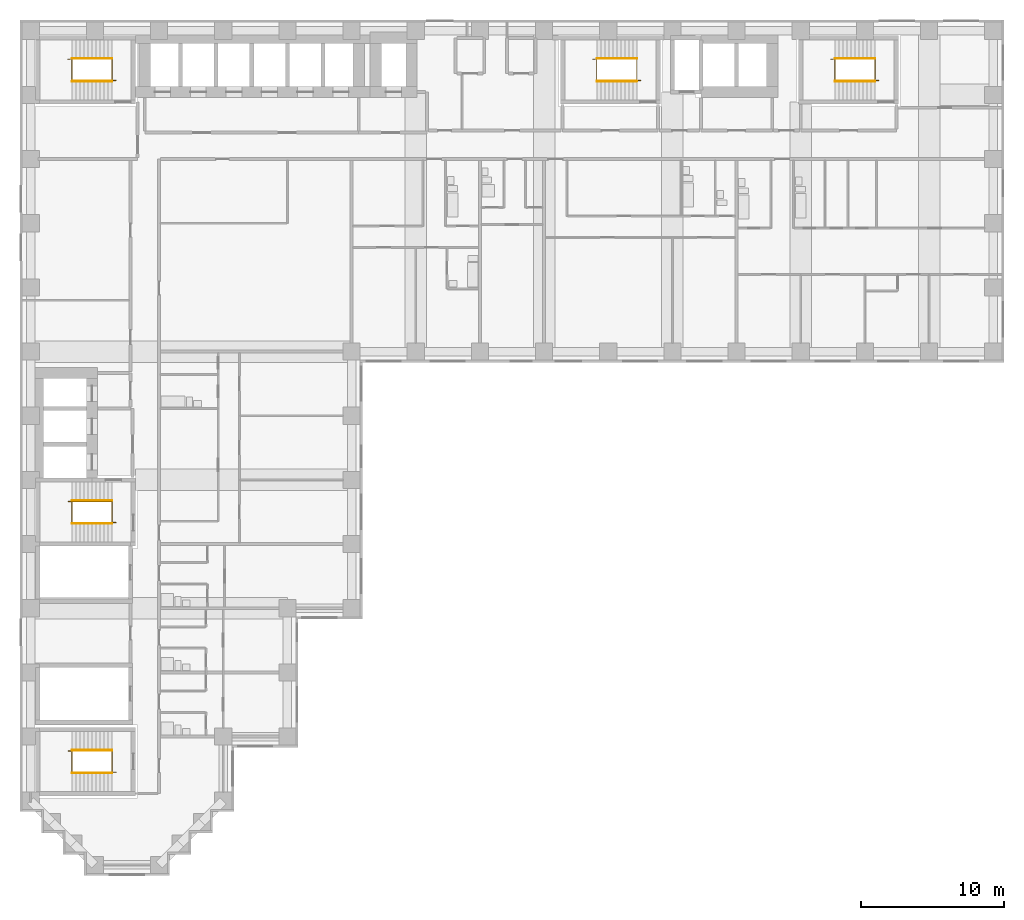
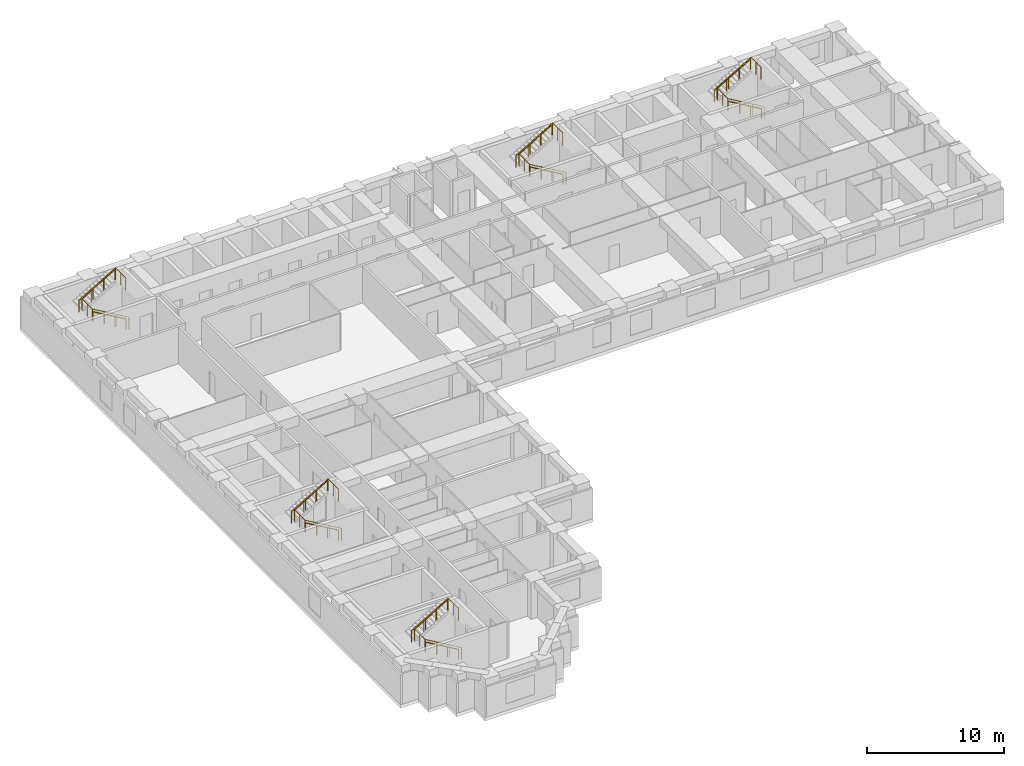
# One storey, part 10 of 11: 15 railings.
"""IFC4 building model written with IfcOpenShell, lengths in metres."""

from ifc_helpers import new_model, si_unit, direction, frame, origin, origin_2d, place, context, subcontext, project, spatial, circle, extrude, material, type_object, element, save


model = new_model("IFC4")

# Units and contexts
model_context = context("Model", 3, precision=1e-05, world=origin(), true_north=direction((0.0, 1.0)))
body_context = subcontext(model_context, "Body", "Model", "MODEL_VIEW")
ifc_project = project(units=[si_unit("LENGTHUNIT", "METRE"), si_unit("AREAUNIT", "SQUARE_METRE"), si_unit("VOLUMEUNIT", "CUBIC_METRE"), si_unit("PLANEANGLEUNIT", "RADIAN"), si_unit("MASSUNIT", "GRAM", prefix="KILO")], contexts=[model_context])

# Site, building, storey
site_placement = place(None, origin())
site = spatial("IfcSite", under=ifc_project, at=site_placement, CompositionType="ELEMENT")
building_placement = place(site_placement, origin())
building = spatial("IfcBuilding", under=site, at=building_placement, Name="Firuza Court", CompositionType="ELEMENT")
storey_placement = place(building_placement, frame((0.0, 0.0, 75.800048828125)))
storey = spatial("IfcBuildingStorey", under=building, at=storey_placement, Name="L18", CompositionType="ELEMENT", Elevation=75.800048828125)

# Railings
ifc_material_1 = material(Name="Steel S355", Category="steel")
railing_type_1 = type_object("IfcRailingType", Name="Handrail 900", PredefinedType="HANDRAIL", material=ifc_material_1)
railing_1_placement = place(storey_placement, frame((42.5, 54.949951171875, 0.16357421875)))
element("IfcRailing", 1, at=railing_1_placement, inside=storey, type_object=railing_type_1, Name="Handrail S1 flight 1", PredefinedType="HANDRAIL", context=body_context, shape_type="SweptSolid", body=[
    extrude(circle(Radius=0.02490234375, at=origin_2d()), frame((0.0, 0.0, 0.875), z_axis=(-0.863360870873, 0.0, 0.504586966384), x_axis=(0.0, -1.0, 0.0)), (0.0, 0.0, 1.0), 3.2431640625),
    extrude(circle(Radius=0.02001953125, at=origin_2d()), origin(), (0.0, 0.0, 1.0), 0.849853515625),
    extrude(circle(Radius=0.02001953125, at=origin_2d()), frame((-0.933349609375, 0.0, 0.54541015625)), (0.0, 0.0, 1.0), 0.849853515625),
    extrude(circle(Radius=0.02001953125, at=origin_2d()), frame((-1.86669921875, 0.0, 1.091064453125)), (0.0, 0.0, 1.0), 0.849853515625),
    extrude(circle(Radius=0.02001953125, at=origin_2d()), frame((-2.800048828125, 0.0, 1.636474609375)), (0.0, 0.0, 1.0), 0.849853515625),
])
railing_2_placement = place(storey_placement, frame((39.699951171875, 56.550048828125, 1.963623046875)))
element("IfcRailing", 2, at=railing_2_placement, inside=storey, type_object=railing_type_1, Name="Handrail S1 flight 2", PredefinedType="HANDRAIL", context=body_context, shape_type="SweptSolid", body=[
    extrude(circle(Radius=0.02490234375, at=origin_2d()), frame((0.0, 0.0, 0.875), z_axis=(0.863393664356, 0.0, 0.504530851732), x_axis=(0.0, 1.0, 0.0)), (0.0, 0.0, 1.0), 3.2431640625),
    extrude(circle(Radius=0.02001953125, at=origin_2d()), origin(), (0.0, 0.0, 1.0), 0.849853515625),
    extrude(circle(Radius=0.02001953125, at=origin_2d()), frame((0.933349609375, 0.0, 0.54541015625)), (0.0, 0.0, 1.0), 0.849853515625),
    extrude(circle(Radius=0.02001953125, at=origin_2d()), frame((1.86669921875, 0.0, 1.0908203125)), (0.0, 0.0, 1.0), 0.849853515625),
    extrude(circle(Radius=0.02001953125, at=origin_2d()), frame((2.800048828125, 0.0, 1.63623046875)), (0.0, 0.0, 1.0), 0.849853515625),
])
railing_3_placement = place(storey_placement, frame((5.699951171875, 23.949951171875, 0.16357421875)))
element("IfcRailing", 3, at=railing_3_placement, inside=storey, type_object=railing_type_1, Name="Handrail S2 flight 1", PredefinedType="HANDRAIL", context=body_context, shape_type="SweptSolid", body=[
    extrude(circle(Radius=0.02490234375, at=origin_2d()), frame((0.0, 0.0, 0.875), z_axis=(-0.863360870873, 0.0, 0.504586966384), x_axis=(0.0, -1.0, 0.0)), (0.0, 0.0, 1.0), 3.2431640625),
    extrude(circle(Radius=0.02001953125, at=origin_2d()), origin(), (0.0, 0.0, 1.0), 0.849853515625),
    extrude(circle(Radius=0.02001953125, at=origin_2d()), frame((-0.933349609375, 0.0, 0.54541015625)), (0.0, 0.0, 1.0), 0.849853515625),
    extrude(circle(Radius=0.02001953125, at=origin_2d()), frame((-1.86669921875, 0.0, 1.091064453125)), (0.0, 0.0, 1.0), 0.849853515625),
    extrude(circle(Radius=0.02001953125, at=origin_2d()), frame((-2.800048828125, 0.0, 1.636474609375)), (0.0, 0.0, 1.0), 0.849853515625),
])
railing_4_placement = place(storey_placement, frame((2.89990234375, 25.550048828125, 1.963623046875)))
element("IfcRailing", 4, at=railing_4_placement, inside=storey, type_object=railing_type_1, Name="Handrail S2 flight 2", PredefinedType="HANDRAIL", context=body_context, shape_type="SweptSolid", body=[
    extrude(circle(Radius=0.02490234375, at=origin_2d()), frame((0.0, 0.0, 0.875), z_axis=(0.863393664356, 0.0, 0.504530851732), x_axis=(0.0, 1.0, 0.0)), (0.0, 0.0, 1.0), 3.2431640625),
    extrude(circle(Radius=0.02001953125, at=origin_2d()), origin(), (0.0, 0.0, 1.0), 0.849853515625),
    extrude(circle(Radius=0.02001953125, at=origin_2d()), frame((0.933349609375, 0.0, 0.54541015625)), (0.0, 0.0, 1.0), 0.849853515625),
    extrude(circle(Radius=0.02001953125, at=origin_2d()), frame((1.86669921875, 0.0, 1.0908203125)), (0.0, 0.0, 1.0), 0.849853515625),
    extrude(circle(Radius=0.02001953125, at=origin_2d()), frame((2.800048828125, 0.0, 1.63623046875)), (0.0, 0.0, 1.0), 0.849853515625),
])
railing_5_placement = place(storey_placement, frame((5.699951171875, 54.949951171875, 0.16357421875)))
element("IfcRailing", 5, at=railing_5_placement, inside=storey, type_object=railing_type_1, Name="Handrail S3 flight 1", PredefinedType="HANDRAIL", context=body_context, shape_type="SweptSolid", body=[
    extrude(circle(Radius=0.02490234375, at=origin_2d()), frame((0.0, 0.0, 0.875), z_axis=(-0.863360870873, 0.0, 0.504586966384), x_axis=(0.0, -1.0, 0.0)), (0.0, 0.0, 1.0), 3.2431640625),
    extrude(circle(Radius=0.02001953125, at=origin_2d()), origin(), (0.0, 0.0, 1.0), 0.849853515625),
    extrude(circle(Radius=0.02001953125, at=origin_2d()), frame((-0.933349609375, 0.0, 0.54541015625)), (0.0, 0.0, 1.0), 0.849853515625),
    extrude(circle(Radius=0.02001953125, at=origin_2d()), frame((-1.86669921875, 0.0, 1.091064453125)), (0.0, 0.0, 1.0), 0.849853515625),
    extrude(circle(Radius=0.02001953125, at=origin_2d()), frame((-2.800048828125, 0.0, 1.636474609375)), (0.0, 0.0, 1.0), 0.849853515625),
])
railing_6_placement = place(storey_placement, frame((2.89990234375, 56.550048828125, 1.963623046875)))
element("IfcRailing", 6, at=railing_6_placement, inside=storey, type_object=railing_type_1, Name="Handrail S3 flight 2", PredefinedType="HANDRAIL", context=body_context, shape_type="SweptSolid", body=[
    extrude(circle(Radius=0.02490234375, at=origin_2d()), frame((0.0, 0.0, 0.875), z_axis=(0.863393664356, 0.0, 0.504530851732), x_axis=(0.0, 1.0, 0.0)), (0.0, 0.0, 1.0), 3.2431640625),
    extrude(circle(Radius=0.02001953125, at=origin_2d()), origin(), (0.0, 0.0, 1.0), 0.849853515625),
    extrude(circle(Radius=0.02001953125, at=origin_2d()), frame((0.933349609375, 0.0, 0.54541015625)), (0.0, 0.0, 1.0), 0.849853515625),
    extrude(circle(Radius=0.02001953125, at=origin_2d()), frame((1.86669921875, 0.0, 1.0908203125)), (0.0, 0.0, 1.0), 0.849853515625),
    extrude(circle(Radius=0.02001953125, at=origin_2d()), frame((2.800048828125, 0.0, 1.63623046875)), (0.0, 0.0, 1.0), 0.849853515625),
])
railing_7_placement = place(storey_placement, frame((59.199951171875, 54.949951171875, 0.16357421875)))
element("IfcRailing", 7, at=railing_7_placement, inside=storey, type_object=railing_type_1, Name="Handrail S4 flight 1", PredefinedType="HANDRAIL", context=body_context, shape_type="SweptSolid", body=[
    extrude(circle(Radius=0.02490234375, at=origin_2d()), frame((0.0, 0.0, 0.875), z_axis=(-0.863360870873, 0.0, 0.504586966384), x_axis=(0.0, -1.0, 0.0)), (0.0, 0.0, 1.0), 3.2431640625),
    extrude(circle(Radius=0.02001953125, at=origin_2d()), origin(), (0.0, 0.0, 1.0), 0.849853515625),
    extrude(circle(Radius=0.02001953125, at=origin_2d()), frame((-0.933349609375, 0.0, 0.54541015625)), (0.0, 0.0, 1.0), 0.849853515625),
    extrude(circle(Radius=0.02001953125, at=origin_2d()), frame((-1.86669921875, 0.0, 1.091064453125)), (0.0, 0.0, 1.0), 0.849853515625),
    extrude(circle(Radius=0.02001953125, at=origin_2d()), frame((-2.800048828125, 0.0, 1.636474609375)), (0.0, 0.0, 1.0), 0.849853515625),
])
railing_8_placement = place(storey_placement, frame((56.39990234375, 56.550048828125, 1.963623046875)))
element("IfcRailing", 8, at=railing_8_placement, inside=storey, type_object=railing_type_1, Name="Handrail S4 flight 2", PredefinedType="HANDRAIL", context=body_context, shape_type="SweptSolid", body=[
    extrude(circle(Radius=0.02490234375, at=origin_2d()), frame((0.0, 0.0, 0.875), z_axis=(0.863393664356, 0.0, 0.504530851732), x_axis=(0.0, 1.0, 0.0)), (0.0, 0.0, 1.0), 3.2431640625),
    extrude(circle(Radius=0.02001953125, at=origin_2d()), origin(), (0.0, 0.0, 1.0), 0.849853515625),
    extrude(circle(Radius=0.02001953125, at=origin_2d()), frame((0.933349609375, 0.0, 0.54541015625)), (0.0, 0.0, 1.0), 0.849853515625),
    extrude(circle(Radius=0.02001953125, at=origin_2d()), frame((1.86669921875, 0.0, 1.0908203125)), (0.0, 0.0, 1.0), 0.849853515625),
    extrude(circle(Radius=0.02001953125, at=origin_2d()), frame((2.800048828125, 0.0, 1.63623046875)), (0.0, 0.0, 1.0), 0.849853515625),
])
railing_9_placement = place(storey_placement, frame((5.699951171875, 6.449951171875, 0.16357421875)))
element("IfcRailing", 9, at=railing_9_placement, inside=storey, type_object=railing_type_1, Name="Handrail S5 flight 1", PredefinedType="HANDRAIL", context=body_context, shape_type="SweptSolid", body=[
    extrude(circle(Radius=0.02490234375, at=origin_2d()), frame((0.0, 0.0, 0.875), z_axis=(-0.863360870873, 0.0, 0.504586966384), x_axis=(0.0, -1.0, 0.0)), (0.0, 0.0, 1.0), 3.2431640625),
    extrude(circle(Radius=0.02001953125, at=origin_2d()), origin(), (0.0, 0.0, 1.0), 0.849853515625),
    extrude(circle(Radius=0.02001953125, at=origin_2d()), frame((-0.933349609375, 0.0, 0.54541015625)), (0.0, 0.0, 1.0), 0.849853515625),
    extrude(circle(Radius=0.02001953125, at=origin_2d()), frame((-1.86669921875, 0.0, 1.091064453125)), (0.0, 0.0, 1.0), 0.849853515625),
    extrude(circle(Radius=0.02001953125, at=origin_2d()), frame((-2.800048828125, 0.0, 1.636474609375)), (0.0, 0.0, 1.0), 0.849853515625),
])
railing_10_placement = place(storey_placement, frame((2.89990234375, 8.050048828125, 1.963623046875)))
element("IfcRailing", 10, at=railing_10_placement, inside=storey, type_object=railing_type_1, Name="Handrail S5 flight 2", PredefinedType="HANDRAIL", context=body_context, shape_type="SweptSolid", body=[
    extrude(circle(Radius=0.02490234375, at=origin_2d()), frame((0.0, 0.0, 0.875), z_axis=(0.863393664356, 0.0, 0.504530851732), x_axis=(0.0, 1.0, 0.0)), (0.0, 0.0, 1.0), 3.2431640625),
    extrude(circle(Radius=0.02001953125, at=origin_2d()), origin(), (0.0, 0.0, 1.0), 0.849853515625),
    extrude(circle(Radius=0.02001953125, at=origin_2d()), frame((0.933349609375, 0.0, 0.54541015625)), (0.0, 0.0, 1.0), 0.849853515625),
    extrude(circle(Radius=0.02001953125, at=origin_2d()), frame((1.86669921875, 0.0, 1.0908203125)), (0.0, 0.0, 1.0), 0.849853515625),
    extrude(circle(Radius=0.02001953125, at=origin_2d()), frame((2.800048828125, 0.0, 1.63623046875)), (0.0, 0.0, 1.0), 0.849853515625),
])
ifc_material_2 = material(Name="Steel S355", Category="steel")
railing_type_2 = type_object("IfcRailingType", Name="Stair guard 1100", PredefinedType="GUARDRAIL", material=ifc_material_2)
railing_11_placement = place(storey_placement, frame((42.780029296875, 55.010009765625, 0.0)))
element("IfcRailing", 11, at=railing_11_placement, inside=storey, type_object=railing_type_2, Name="Stair well guard S1", PredefinedType="GUARDRAIL", context=body_context, shape_type="SweptSolid", body=[
    extrude(circle(Radius=0.02490234375, at=origin_2d()), frame((0.0, 0.0, 1.0751953125), z_axis=(-0.863371556955, 0.0, 0.504568681787), x_axis=(0.0, -1.0, 0.0)), (0.0, 0.0, 1.0), 3.5673828125),
    extrude(circle(Radius=0.02490234375, at=origin_2d()), frame((-3.080078125, 0.0, 2.875), z_axis=(0.0, 1.0, 0.0), x_axis=(-1.0, 0.0, 0.0)), (0.0, 0.0, 1.0), 1.47998046875),
    extrude(circle(Radius=0.02490234375, at=origin_2d()), frame((-3.080078125, 1.47998046875, 2.875), z_axis=(-1.0, 0.0, 0.0), x_axis=(0.0, -1.0, 0.0)), (0.0, 0.0, 1.0), 0.280029296875),
    extrude(circle(Radius=0.02490234375, at=origin_2d()), frame((-3.360107421875, 1.47998046875, 2.875), z_axis=(0.863401368682, 0.0, 0.504517667242), x_axis=(0.0, 1.0, 0.0)), (0.0, 0.0, 1.0), 3.5673828125),
    extrude(circle(Radius=0.02490234375, at=origin_2d()), frame((-0.280029296875, 1.47998046875, 4.6748046875), z_axis=(0.0, -1.0, 0.0), x_axis=(1.0, 0.0, 0.0)), (0.0, 0.0, 1.0), 1.47998046875),
    extrude(circle(Radius=0.02490234375, at=origin_2d()), origin(), (0.0, 0.0, 1.0), 1.050048828125),
    extrude(circle(Radius=0.02490234375, at=origin_2d()), frame((-1.026611328125, 0.0, 0.60009765625)), (0.0, 0.0, 1.0), 1.050048828125),
    extrude(circle(Radius=0.02490234375, at=origin_2d()), frame((-2.053466796875, 0.0, 1.199951171875)), (0.0, 0.0, 1.0), 1.050048828125),
    extrude(circle(Radius=0.02490234375, at=origin_2d()), frame((-3.080078125, 0.0, 1.800048828125)), (0.0, 0.0, 1.0), 1.050048828125),
    extrude(circle(Radius=0.02490234375, at=origin_2d()), frame((-3.080078125, 0.739990234375, 1.800048828125)), (0.0, 0.0, 1.0), 1.050048828125),
    extrude(circle(Radius=0.02490234375, at=origin_2d()), frame((-3.080078125, 1.47998046875, 1.800048828125)), (0.0, 0.0, 1.0), 1.050048828125),
    extrude(circle(Radius=0.02490234375, at=origin_2d()), frame((-3.360107421875, 1.47998046875, 1.800048828125)), (0.0, 0.0, 1.0), 1.050048828125),
    extrude(circle(Radius=0.02490234375, at=origin_2d()), frame((-2.33349609375, 1.47998046875, 2.39990234375)), (0.0, 0.0, 1.0), 1.050048828125),
    extrude(circle(Radius=0.02490234375, at=origin_2d()), frame((-1.306640625, 1.47998046875, 3.0)), (0.0, 0.0, 1.0), 1.050048828125),
    extrude(circle(Radius=0.02490234375, at=origin_2d()), frame((-0.280029296875, 1.47998046875, 3.599853515625)), (0.0, 0.0, 1.0), 1.050048828125),
    extrude(circle(Radius=0.02490234375, at=origin_2d()), frame((-0.280029296875, 0.739990234375, 3.599853515625)), (0.0, 0.0, 1.0), 1.050048828125),
    extrude(circle(Radius=0.02490234375, at=origin_2d()), frame((-0.280029296875, 0.0, 3.599853515625)), (0.0, 0.0, 1.0), 1.050048828125),
])
railing_12_placement = place(storey_placement, frame((5.97998046875, 24.010009765625, 0.0)))
element("IfcRailing", 12, at=railing_12_placement, inside=storey, type_object=railing_type_2, Name="Stair well guard S2", PredefinedType="GUARDRAIL", context=body_context, shape_type="SweptSolid", body=[
    extrude(circle(Radius=0.02490234375, at=origin_2d()), frame((0.0, 0.0, 1.0751953125), z_axis=(-0.863371556955, 0.0, 0.504568681787), x_axis=(0.0, -1.0, 0.0)), (0.0, 0.0, 1.0), 3.5673828125),
    extrude(circle(Radius=0.02490234375, at=origin_2d()), frame((-3.080078125, 0.0, 2.875), z_axis=(0.0, 1.0, 0.0), x_axis=(-1.0, 0.0, 0.0)), (0.0, 0.0, 1.0), 1.47998046875),
    extrude(circle(Radius=0.02490234375, at=origin_2d()), frame((-3.080078125, 1.47998046875, 2.875), z_axis=(-1.0, 0.0, 0.0), x_axis=(0.0, -1.0, 0.0)), (0.0, 0.0, 1.0), 0.27978515625),
    extrude(circle(Radius=0.02490234375, at=origin_2d()), frame((-3.35986328125, 1.47998046875, 2.875), z_axis=(0.863383947312, 0.0, 0.504547479951), x_axis=(0.0, 1.0, 0.0)), (0.0, 0.0, 1.0), 3.567138671875),
    extrude(circle(Radius=0.02490234375, at=origin_2d()), frame((-0.280029296875, 1.47998046875, 4.6748046875), z_axis=(0.0, -1.0, 0.0), x_axis=(1.0, 0.0, 0.0)), (0.0, 0.0, 1.0), 1.47998046875),
    extrude(circle(Radius=0.02490234375, at=origin_2d()), origin(), (0.0, 0.0, 1.0), 1.050048828125),
    extrude(circle(Radius=0.02490234375, at=origin_2d()), frame((-1.026611328125, 0.0, 0.60009765625)), (0.0, 0.0, 1.0), 1.050048828125),
    extrude(circle(Radius=0.02490234375, at=origin_2d()), frame((-2.053466796875, 0.0, 1.199951171875)), (0.0, 0.0, 1.0), 1.050048828125),
    extrude(circle(Radius=0.02490234375, at=origin_2d()), frame((-3.080078125, 0.0, 1.800048828125)), (0.0, 0.0, 1.0), 1.050048828125),
    extrude(circle(Radius=0.02490234375, at=origin_2d()), frame((-3.080078125, 0.739990234375, 1.800048828125)), (0.0, 0.0, 1.0), 1.050048828125),
    extrude(circle(Radius=0.02490234375, at=origin_2d()), frame((-3.080078125, 1.47998046875, 1.800048828125)), (0.0, 0.0, 1.0), 1.050048828125),
    extrude(circle(Radius=0.02490234375, at=origin_2d()), frame((-3.35986328125, 1.47998046875, 1.800048828125)), (0.0, 0.0, 1.0), 1.050048828125),
    extrude(circle(Radius=0.02490234375, at=origin_2d()), frame((-2.333251953125, 1.47998046875, 2.39990234375)), (0.0, 0.0, 1.0), 1.050048828125),
    extrude(circle(Radius=0.02490234375, at=origin_2d()), frame((-1.306640625, 1.47998046875, 3.0)), (0.0, 0.0, 1.0), 1.050048828125),
    extrude(circle(Radius=0.02490234375, at=origin_2d()), frame((-0.280029296875, 1.47998046875, 3.599853515625)), (0.0, 0.0, 1.0), 1.050048828125),
    extrude(circle(Radius=0.02490234375, at=origin_2d()), frame((-0.280029296875, 0.739990234375, 3.599853515625)), (0.0, 0.0, 1.0), 1.050048828125),
    extrude(circle(Radius=0.02490234375, at=origin_2d()), frame((-0.280029296875, 0.0, 3.599853515625)), (0.0, 0.0, 1.0), 1.050048828125),
])
railing_13_placement = place(storey_placement, frame((5.97998046875, 55.010009765625, 0.0)))
element("IfcRailing", 13, at=railing_13_placement, inside=storey, type_object=railing_type_2, Name="Stair well guard S3", PredefinedType="GUARDRAIL", context=body_context, shape_type="SweptSolid", body=[
    extrude(circle(Radius=0.02490234375, at=origin_2d()), frame((0.0, 0.0, 1.0751953125), z_axis=(-0.863371556955, 0.0, 0.504568681787), x_axis=(0.0, -1.0, 0.0)), (0.0, 0.0, 1.0), 3.5673828125),
    extrude(circle(Radius=0.02490234375, at=origin_2d()), frame((-3.080078125, 0.0, 2.875), z_axis=(0.0, 1.0, 0.0), x_axis=(-1.0, 0.0, 0.0)), (0.0, 0.0, 1.0), 1.47998046875),
    extrude(circle(Radius=0.02490234375, at=origin_2d()), frame((-3.080078125, 1.47998046875, 2.875), z_axis=(-1.0, 0.0, 0.0), x_axis=(0.0, -1.0, 0.0)), (0.0, 0.0, 1.0), 0.27978515625),
    extrude(circle(Radius=0.02490234375, at=origin_2d()), frame((-3.35986328125, 1.47998046875, 2.875), z_axis=(0.863383947312, 0.0, 0.504547479951), x_axis=(0.0, 1.0, 0.0)), (0.0, 0.0, 1.0), 3.567138671875),
    extrude(circle(Radius=0.02490234375, at=origin_2d()), frame((-0.280029296875, 1.47998046875, 4.6748046875), z_axis=(0.0, -1.0, 0.0), x_axis=(1.0, 0.0, 0.0)), (0.0, 0.0, 1.0), 1.47998046875),
    extrude(circle(Radius=0.02490234375, at=origin_2d()), origin(), (0.0, 0.0, 1.0), 1.050048828125),
    extrude(circle(Radius=0.02490234375, at=origin_2d()), frame((-1.026611328125, 0.0, 0.60009765625)), (0.0, 0.0, 1.0), 1.050048828125),
    extrude(circle(Radius=0.02490234375, at=origin_2d()), frame((-2.053466796875, 0.0, 1.199951171875)), (0.0, 0.0, 1.0), 1.050048828125),
    extrude(circle(Radius=0.02490234375, at=origin_2d()), frame((-3.080078125, 0.0, 1.800048828125)), (0.0, 0.0, 1.0), 1.050048828125),
    extrude(circle(Radius=0.02490234375, at=origin_2d()), frame((-3.080078125, 0.739990234375, 1.800048828125)), (0.0, 0.0, 1.0), 1.050048828125),
    extrude(circle(Radius=0.02490234375, at=origin_2d()), frame((-3.080078125, 1.47998046875, 1.800048828125)), (0.0, 0.0, 1.0), 1.050048828125),
    extrude(circle(Radius=0.02490234375, at=origin_2d()), frame((-3.35986328125, 1.47998046875, 1.800048828125)), (0.0, 0.0, 1.0), 1.050048828125),
    extrude(circle(Radius=0.02490234375, at=origin_2d()), frame((-2.333251953125, 1.47998046875, 2.39990234375)), (0.0, 0.0, 1.0), 1.050048828125),
    extrude(circle(Radius=0.02490234375, at=origin_2d()), frame((-1.306640625, 1.47998046875, 3.0)), (0.0, 0.0, 1.0), 1.050048828125),
    extrude(circle(Radius=0.02490234375, at=origin_2d()), frame((-0.280029296875, 1.47998046875, 3.599853515625)), (0.0, 0.0, 1.0), 1.050048828125),
    extrude(circle(Radius=0.02490234375, at=origin_2d()), frame((-0.280029296875, 0.739990234375, 3.599853515625)), (0.0, 0.0, 1.0), 1.050048828125),
    extrude(circle(Radius=0.02490234375, at=origin_2d()), frame((-0.280029296875, 0.0, 3.599853515625)), (0.0, 0.0, 1.0), 1.050048828125),
])
railing_14_placement = place(storey_placement, frame((59.47998046875, 55.010009765625, 0.0)))
element("IfcRailing", 14, at=railing_14_placement, inside=storey, type_object=railing_type_2, Name="Stair well guard S4", PredefinedType="GUARDRAIL", context=body_context, shape_type="SweptSolid", body=[
    extrude(circle(Radius=0.02490234375, at=origin_2d()), frame((0.0, 0.0, 1.0751953125), z_axis=(-0.863371556955, 0.0, 0.504568681787), x_axis=(0.0, -1.0, 0.0)), (0.0, 0.0, 1.0), 3.5673828125),
    extrude(circle(Radius=0.02490234375, at=origin_2d()), frame((-3.080078125, 0.0, 2.875), z_axis=(0.0, 1.0, 0.0), x_axis=(-1.0, 0.0, 0.0)), (0.0, 0.0, 1.0), 1.47998046875),
    extrude(circle(Radius=0.02490234375, at=origin_2d()), frame((-3.080078125, 1.47998046875, 2.875), z_axis=(-1.0, 0.0, 0.0), x_axis=(0.0, -1.0, 0.0)), (0.0, 0.0, 1.0), 0.27978515625),
    extrude(circle(Radius=0.02490234375, at=origin_2d()), frame((-3.35986328125, 1.47998046875, 2.875), z_axis=(0.863383947312, 0.0, 0.504547479951), x_axis=(0.0, 1.0, 0.0)), (0.0, 0.0, 1.0), 3.567138671875),
    extrude(circle(Radius=0.02490234375, at=origin_2d()), frame((-0.280029296875, 1.47998046875, 4.6748046875), z_axis=(0.0, -1.0, 0.0), x_axis=(1.0, 0.0, 0.0)), (0.0, 0.0, 1.0), 1.47998046875),
    extrude(circle(Radius=0.02490234375, at=origin_2d()), origin(), (0.0, 0.0, 1.0), 1.050048828125),
    extrude(circle(Radius=0.02490234375, at=origin_2d()), frame((-1.026611328125, 0.0, 0.60009765625)), (0.0, 0.0, 1.0), 1.050048828125),
    extrude(circle(Radius=0.02490234375, at=origin_2d()), frame((-2.053466796875, 0.0, 1.199951171875)), (0.0, 0.0, 1.0), 1.050048828125),
    extrude(circle(Radius=0.02490234375, at=origin_2d()), frame((-3.080078125, 0.0, 1.800048828125)), (0.0, 0.0, 1.0), 1.050048828125),
    extrude(circle(Radius=0.02490234375, at=origin_2d()), frame((-3.080078125, 0.739990234375, 1.800048828125)), (0.0, 0.0, 1.0), 1.050048828125),
    extrude(circle(Radius=0.02490234375, at=origin_2d()), frame((-3.080078125, 1.47998046875, 1.800048828125)), (0.0, 0.0, 1.0), 1.050048828125),
    extrude(circle(Radius=0.02490234375, at=origin_2d()), frame((-3.35986328125, 1.47998046875, 1.800048828125)), (0.0, 0.0, 1.0), 1.050048828125),
    extrude(circle(Radius=0.02490234375, at=origin_2d()), frame((-2.333251953125, 1.47998046875, 2.39990234375)), (0.0, 0.0, 1.0), 1.050048828125),
    extrude(circle(Radius=0.02490234375, at=origin_2d()), frame((-1.306640625, 1.47998046875, 3.0)), (0.0, 0.0, 1.0), 1.050048828125),
    extrude(circle(Radius=0.02490234375, at=origin_2d()), frame((-0.280029296875, 1.47998046875, 3.599853515625)), (0.0, 0.0, 1.0), 1.050048828125),
    extrude(circle(Radius=0.02490234375, at=origin_2d()), frame((-0.280029296875, 0.739990234375, 3.599853515625)), (0.0, 0.0, 1.0), 1.050048828125),
    extrude(circle(Radius=0.02490234375, at=origin_2d()), frame((-0.280029296875, 0.0, 3.599853515625)), (0.0, 0.0, 1.0), 1.050048828125),
])
railing_15_placement = place(storey_placement, frame((5.97998046875, 6.510009765625, 0.0)))
element("IfcRailing", 15, at=railing_15_placement, inside=storey, type_object=railing_type_2, Name="Stair well guard S5", PredefinedType="GUARDRAIL", context=body_context, shape_type="SweptSolid", body=[
    extrude(circle(Radius=0.02490234375, at=origin_2d()), frame((0.0, 0.0, 1.0751953125), z_axis=(-0.863371556955, 0.0, 0.504568681787), x_axis=(0.0, -1.0, 0.0)), (0.0, 0.0, 1.0), 3.5673828125),
    extrude(circle(Radius=0.02490234375, at=origin_2d()), frame((-3.080078125, 0.0, 2.875), z_axis=(0.0, 1.0, 0.0), x_axis=(-1.0, 0.0, 0.0)), (0.0, 0.0, 1.0), 1.47998046875),
    extrude(circle(Radius=0.02490234375, at=origin_2d()), frame((-3.080078125, 1.47998046875, 2.875), z_axis=(-1.0, 0.0, 0.0), x_axis=(0.0, -1.0, 0.0)), (0.0, 0.0, 1.0), 0.27978515625),
    extrude(circle(Radius=0.02490234375, at=origin_2d()), frame((-3.35986328125, 1.47998046875, 2.875), z_axis=(0.863383947312, 0.0, 0.504547479951), x_axis=(0.0, 1.0, 0.0)), (0.0, 0.0, 1.0), 3.567138671875),
    extrude(circle(Radius=0.02490234375, at=origin_2d()), frame((-0.280029296875, 1.47998046875, 4.6748046875), z_axis=(0.0, -1.0, 0.0), x_axis=(1.0, 0.0, 0.0)), (0.0, 0.0, 1.0), 1.47998046875),
    extrude(circle(Radius=0.02490234375, at=origin_2d()), origin(), (0.0, 0.0, 1.0), 1.050048828125),
    extrude(circle(Radius=0.02490234375, at=origin_2d()), frame((-1.026611328125, 0.0, 0.60009765625)), (0.0, 0.0, 1.0), 1.050048828125),
    extrude(circle(Radius=0.02490234375, at=origin_2d()), frame((-2.053466796875, 0.0, 1.199951171875)), (0.0, 0.0, 1.0), 1.050048828125),
    extrude(circle(Radius=0.02490234375, at=origin_2d()), frame((-3.080078125, 0.0, 1.800048828125)), (0.0, 0.0, 1.0), 1.050048828125),
    extrude(circle(Radius=0.02490234375, at=origin_2d()), frame((-3.080078125, 0.739990234375, 1.800048828125)), (0.0, 0.0, 1.0), 1.050048828125),
    extrude(circle(Radius=0.02490234375, at=origin_2d()), frame((-3.080078125, 1.47998046875, 1.800048828125)), (0.0, 0.0, 1.0), 1.050048828125),
    extrude(circle(Radius=0.02490234375, at=origin_2d()), frame((-3.35986328125, 1.47998046875, 1.800048828125)), (0.0, 0.0, 1.0), 1.050048828125),
    extrude(circle(Radius=0.02490234375, at=origin_2d()), frame((-2.333251953125, 1.47998046875, 2.39990234375)), (0.0, 0.0, 1.0), 1.050048828125),
    extrude(circle(Radius=0.02490234375, at=origin_2d()), frame((-1.306640625, 1.47998046875, 3.0)), (0.0, 0.0, 1.0), 1.050048828125),
    extrude(circle(Radius=0.02490234375, at=origin_2d()), frame((-0.280029296875, 1.47998046875, 3.599853515625)), (0.0, 0.0, 1.0), 1.050048828125),
    extrude(circle(Radius=0.02490234375, at=origin_2d()), frame((-0.280029296875, 0.739990234375, 3.599853515625)), (0.0, 0.0, 1.0), 1.050048828125),
    extrude(circle(Radius=0.02490234375, at=origin_2d()), frame((-0.280029296875, 0.0, 3.599853515625)), (0.0, 0.0, 1.0), 1.050048828125),
])

save(model, "model.ifc")
